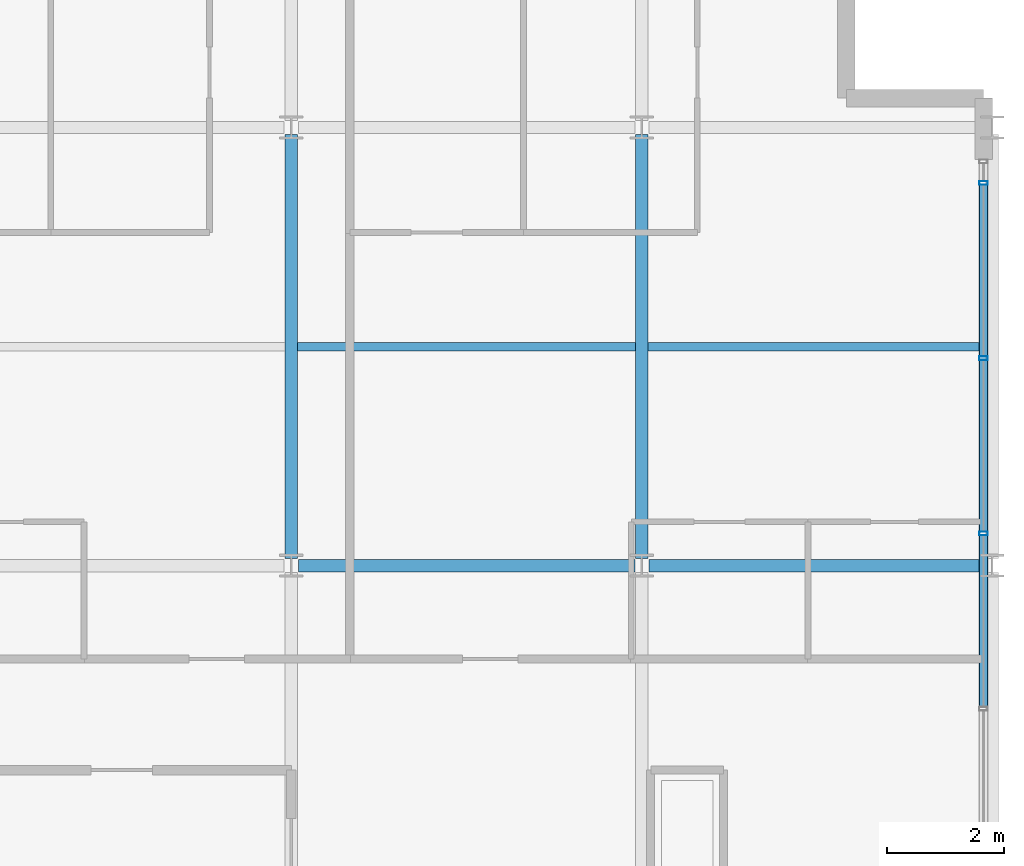
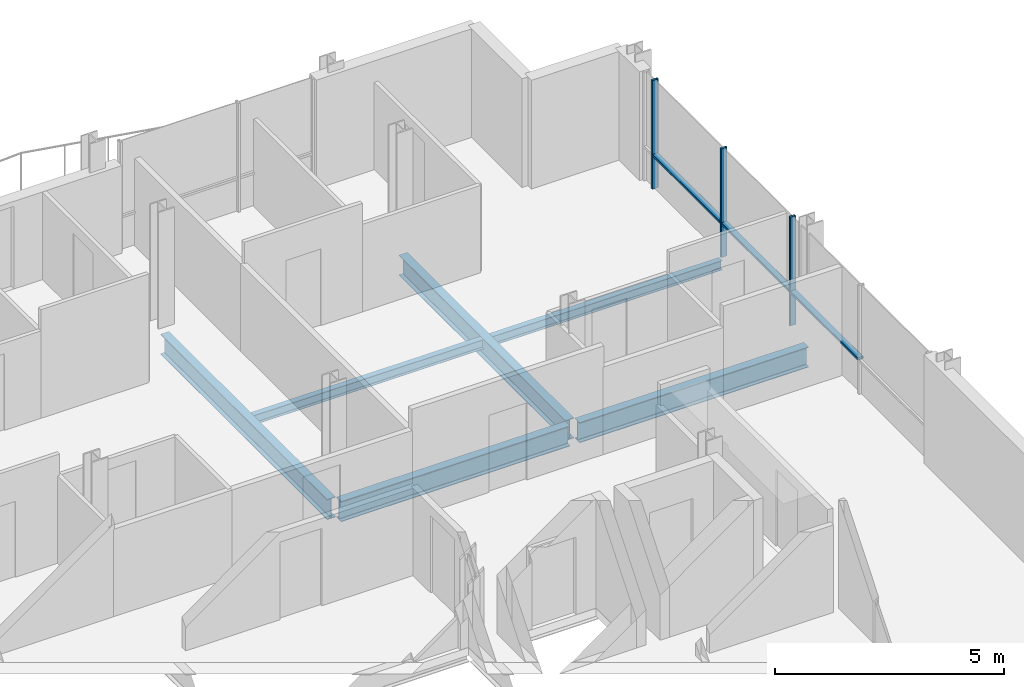
# One storey, part 16 of 33: 6 beams, 6 members, 1 element without a shape of its own.
"""IFC4 building model written with IfcOpenShell, lengths in metres."""

from ifc_helpers import new_model, si_unit, direction, frame, origin, origin_2d, place, context, subcontext, project, spatial, hollow_rectangle, i_section, extrude, material, layer, layer_set, material_profile, profile_set, type_object, element, aggregate, save


model = new_model("IFC4")

# Units and contexts
model_context = context("Model", 3, precision=1e-05, world=origin(), true_north=direction((0.0, 1.0)))
body_context = subcontext(model_context, "Body", "Model", "MODEL_VIEW")
ifc_project = project(units=[si_unit("LENGTHUNIT", "METRE"), si_unit("AREAUNIT", "SQUARE_METRE"), si_unit("VOLUMEUNIT", "CUBIC_METRE"), si_unit("PLANEANGLEUNIT", "RADIAN"), si_unit("MASSUNIT", "GRAM", prefix="KILO")], contexts=[model_context])

# Site, building, storey
site_placement = place(None, origin())
site = spatial("IfcSite", under=ifc_project, at=site_placement, CompositionType="ELEMENT")
building_placement = place(site_placement, origin())
building = spatial("IfcBuilding", under=site, at=building_placement, Name="Brevholm Reach", CompositionType="ELEMENT")
storey_placement = place(building_placement, frame((0.0, 0.0, 189.39990234375)))
storey = spatial("IfcBuildingStorey", under=building, at=storey_placement, Name="L57", CompositionType="ELEMENT", Elevation=189.39990234375)

# Beams
ifc_material_1 = material(Name="Structural Steel S355J2", Category="steel")
ifc_material_profile_1 = material_profile(ifc_material_1, i_section(OverallWidth=0.14599609375, OverallDepth=0.25146484375, WebThickness=0.006103515625, FlangeThickness=0.008544921875, FilletRadius=0.007568359375, at=origin_2d()), Name="UKB 254x146x31")
ifc_profile_set_1 = profile_set([ifc_material_profile_1], Name="Structural Steel S355J2")
beam_type_1 = type_object("IfcBeamType", Name="BM-B254", PredefinedType="BEAM", material=ifc_profile_set_1)
beam_1_placement = place(storey_placement, frame((48.10546875, 19.75, -0.335693359375), z_axis=(1.0, 0.0, 0.0), x_axis=(0.0, 1.0, 0.0)))
element("IfcBeam", 1, at=beam_1_placement, inside=storey, type_object=beam_type_1, Name="L57 Composite Secondary Floor Beam", PredefinedType="BEAM", context=body_context, shape_type="SweptSolid", body=[
    extrude(i_section(OverallWidth=0.14599609375, OverallDepth=0.25146484375, WebThickness=0.006103515625, FlangeThickness=0.008544921875, FilletRadius=0.007568359375, at=origin_2d()), origin(), (0.0, 0.0, 1.0), 5.7890625),
])
beam_2_placement = place(storey_placement, frame((54.10546875, 19.75, -0.335693359375), z_axis=(1.0, 0.0, 0.0), x_axis=(0.0, 1.0, 0.0)))
element("IfcBeam", 2, at=beam_2_placement, inside=storey, type_object=beam_type_1, Name="L57 Composite Secondary Floor Beam", PredefinedType="BEAM", context=body_context, shape_type="SweptSolid", body=[
    extrude(i_section(OverallWidth=0.14599609375, OverallDepth=0.25146484375, WebThickness=0.006103515625, FlangeThickness=0.008544921875, FilletRadius=0.007568359375, at=origin_2d()), origin(), (0.0, 0.0, 1.0), 5.789794921875),
])
ifc_material_2 = material(Name="Structural Steel S355J2", Category="steel")
ifc_material_profile_2 = material_profile(ifc_material_2, i_section(OverallWidth=0.210693359375, OverallDepth=0.53955078125, WebThickness=0.01171875, FlangeThickness=0.018798828125, FilletRadius=0.0126953125, at=origin_2d()), Name="UKB 533x210x109")
ifc_profile_set_2 = profile_set([ifc_material_profile_2], Name="Structural Steel S355J2")
beam_type_2 = type_object("IfcBeamType", Name="BM-SP539", PredefinedType="SPANDREL", material=ifc_profile_set_2)
for number, where, z_axis, x_axis, name in (
    (3, (48.1201171875, 16.0, -0.479736328125), (1.0, 0.0, 0.0), (0.0, 1.0, 0.0), "L57 SP-01B Framing Beam"),
    (4, (54.1201171875, 16.0, -0.479736328125), (1.0, 0.0, 0.0), (0.0, 1.0, 0.0), "L57 SP-01B Framing Beam"),
):
    element("IfcBeam", number, at=place(storey_placement, frame(where, z_axis=z_axis, x_axis=x_axis)), inside=storey, type_object=beam_type_2, Name=name, PredefinedType="SPANDREL", context=body_context, shape_type="SweptSolid", body=[
        extrude(i_section(OverallWidth=0.210693359375, OverallDepth=0.53955078125, WebThickness=0.01171875, FlangeThickness=0.018798828125, FilletRadius=0.0126953125, at=origin_2d()), origin(), (0.0, 0.0, 1.0), 5.759765625),
    ])
for number, where, z_axis, x_axis, name in (
    (5, (48.0, 16.1201171875, -0.479736328125), (0.0, 1.0, 0.0), (-1.0, 0.0, 0.0), "L57 SP-01B Framing Beam"),
    (6, (54.0, 16.1201171875, -0.479736328125), (0.0, 1.0, 0.0), (-1.0, 0.0, 0.0), "L57 SP-01B Framing Beam"),
):
    element("IfcBeam", number, at=place(storey_placement, frame(where, z_axis=z_axis, x_axis=x_axis)), inside=storey, type_object=beam_type_2, Name=name, PredefinedType="SPANDREL", context=body_context, shape_type="SweptSolid", body=[
        extrude(i_section(OverallWidth=0.210693359375, OverallDepth=0.53955078125, WebThickness=0.01171875, FlangeThickness=0.018798828125, FilletRadius=0.0126953125, at=origin_2d()), origin(), (0.0, 0.0, 1.0), 7.259765625),
    ])

# Curtain wall, members
ifc_material_3 = material(Name="Dark Anodised Aluminium 6063-T6 and Solar-Control Glass", Category="aluminium")
ifc_layer = layer(ifc_material_3, 0.14990234375)
ifc_layer_set = layer_set([ifc_layer], Name="Dark Anodised Aluminium 6063-T6 and Solar-Control Glass")
curtain_wall_type = type_object("IfcCurtainWallType", Name="CW-01", PredefinedType="NOTDEFINED", material=ifc_layer_set)
curtain_wall_placement = place(storey_placement, origin())
curtain_wall = element("IfcCurtainWall", 7, at=curtain_wall_placement, inside=storey, type_object=curtain_wall_type, Name="L57 Curtain Wall CW-01", PredefinedType="NOTDEFINED")
ifc_material_4 = material(Name="Dark Anodised Aluminium 6063-T6", Category="aluminium")
ifc_material_profile_3 = material_profile(ifc_material_4, hollow_rectangle(XDim=0.06494140625, YDim=0.14990234375, WallThickness=0.0048828125, InnerFilletRadius=0.0048828125, OuterFilletRadius=0.010009765625, at=origin_2d()), Name="RHS 150x65x5")
ifc_profile_set_3 = profile_set([ifc_material_profile_3], Name="Dark Anodised Aluminium 6063-T6")
member_type_1 = type_object("IfcMemberType", Name="CWM-150", PredefinedType="MULLION", material=ifc_profile_set_3)
member_1_placement = place(storey_placement, frame((59.85009765625, 16.550048828125, 0.0), z_axis=(0.0, 0.0, 1.0), x_axis=(0.0, 1.0, 0.0)))
member_1 = element("IfcMember", 8, at=member_1_placement, type_object=member_type_1, Name="CM-150 Mullion 3", PredefinedType="MULLION", context=body_context, shape_type="SweptSolid", body=[
    extrude(hollow_rectangle(XDim=0.06494140625, YDim=0.14990234375, WallThickness=0.0048828125, InnerFilletRadius=0.0048828125, OuterFilletRadius=0.010009765625, at=origin_2d()), origin(), (0.0, 0.0, 1.0), 2.89013671875),
])
member_2_placement = place(storey_placement, frame((59.85009765625, 19.550048828125, 0.0), z_axis=(0.0, 0.0, 1.0), x_axis=(0.0, 1.0, 0.0)))
member_2 = element("IfcMember", 9, at=member_2_placement, type_object=member_type_1, Name="CM-150 Mullion 4", PredefinedType="MULLION", context=body_context, shape_type="SweptSolid", body=[
    extrude(hollow_rectangle(XDim=0.06494140625, YDim=0.14990234375, WallThickness=0.0048828125, InnerFilletRadius=0.0048828125, OuterFilletRadius=0.010009765625, at=origin_2d()), origin(), (0.0, 0.0, 1.0), 2.89013671875),
])
member_3_placement = place(storey_placement, frame((59.85009765625, 22.550048828125, 0.0), z_axis=(0.0, 0.0, 1.0), x_axis=(0.0, 1.0, 0.0)))
member_3 = element("IfcMember", 10, at=member_3_placement, type_object=member_type_1, Name="CM-150 Mullion 5", PredefinedType="MULLION", context=body_context, shape_type="SweptSolid", body=[
    extrude(hollow_rectangle(XDim=0.06494140625, YDim=0.14990234375, WallThickness=0.0048828125, InnerFilletRadius=0.0048828125, OuterFilletRadius=0.010009765625, at=origin_2d()), origin(), (0.0, 0.0, 1.0), 2.89013671875),
])
ifc_material_5 = material(Name="Dark Anodised Aluminium 6063-T6", Category="aluminium")
ifc_material_profile_4 = material_profile(ifc_material_5, hollow_rectangle(XDim=0.06494140625, YDim=0.14990234375, WallThickness=0.0048828125, InnerFilletRadius=0.0048828125, OuterFilletRadius=0.010009765625, at=origin_2d()), Name="RHS 150x65x5")
ifc_profile_set_4 = profile_set([ifc_material_profile_4], Name="Dark Anodised Aluminium 6063-T6")
member_type_2 = type_object("IfcMemberType", Name="CWT-150", PredefinedType="NOTDEFINED", material=ifc_profile_set_4)
member_4_placement = place(storey_placement, frame((59.85009765625, 13.58251953125, 0.900146484375), z_axis=(0.0, 1.0, 0.0), x_axis=(0.0, 0.0, 1.0)))
member_4 = element("IfcMember", 11, at=member_4_placement, type_object=member_type_2, Name="CT-150 Transom 2.1", ObjectType="TRANSOM", PredefinedType="USERDEFINED", context=body_context, shape_type="SweptSolid", body=[
    extrude(hollow_rectangle(XDim=0.06494140625, YDim=0.14990234375, WallThickness=0.0048828125, InnerFilletRadius=0.0048828125, OuterFilletRadius=0.010009765625, at=origin_2d()), origin(), (0.0, 0.0, 1.0), 2.93505859375),
])
member_5_placement = place(storey_placement, frame((59.85009765625, 16.58251953125, 0.900146484375), z_axis=(0.0, 1.0, 0.0), x_axis=(0.0, 0.0, 1.0)))
member_5 = element("IfcMember", 12, at=member_5_placement, type_object=member_type_2, Name="CT-150 Transom 3.1", ObjectType="TRANSOM", PredefinedType="USERDEFINED", context=body_context, shape_type="SweptSolid", body=[
    extrude(hollow_rectangle(XDim=0.06494140625, YDim=0.14990234375, WallThickness=0.0048828125, InnerFilletRadius=0.0048828125, OuterFilletRadius=0.010009765625, at=origin_2d()), origin(), (0.0, 0.0, 1.0), 2.93505859375),
])
member_6_placement = place(storey_placement, frame((59.85009765625, 19.58251953125, 0.900146484375), z_axis=(0.0, 1.0, 0.0), x_axis=(0.0, 0.0, 1.0)))
member_6 = element("IfcMember", 13, at=member_6_placement, type_object=member_type_2, Name="CT-150 Transom 4.1", ObjectType="TRANSOM", PredefinedType="USERDEFINED", context=body_context, shape_type="SweptSolid", body=[
    extrude(hollow_rectangle(XDim=0.06494140625, YDim=0.14990234375, WallThickness=0.0048828125, InnerFilletRadius=0.0048828125, OuterFilletRadius=0.010009765625, at=origin_2d()), origin(), (0.0, 0.0, 1.0), 2.93505859375),
])
aggregate(curtain_wall, [member_1, member_2, member_3, member_4, member_5, member_6])

save(model, "model.ifc")
